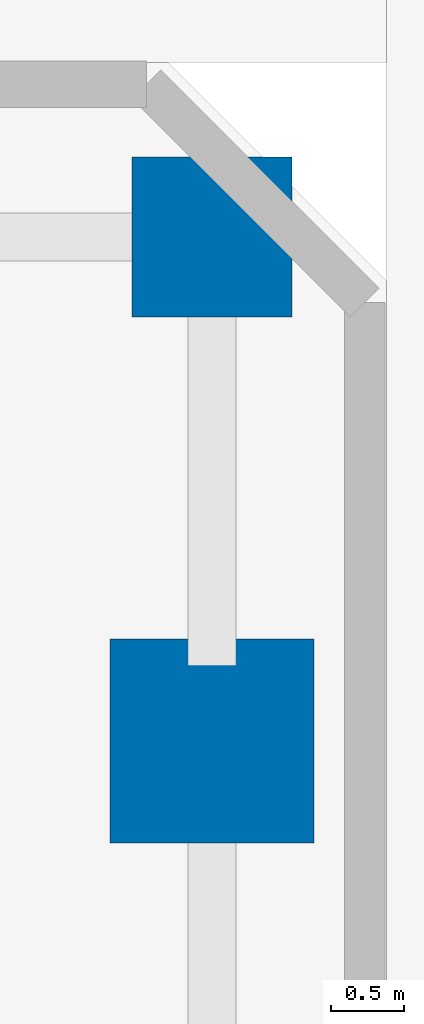
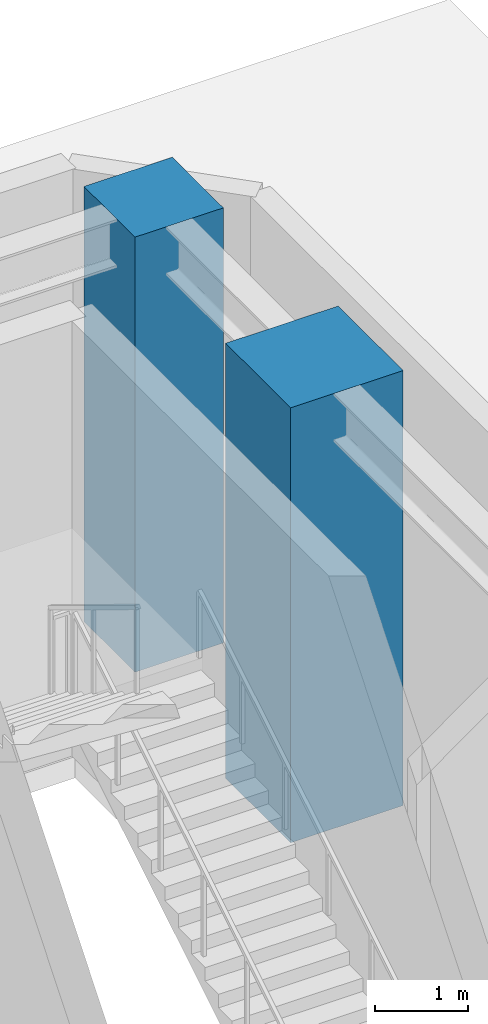
# One storey, part 10 of 49: 2 columns.
"""IFC4 building model written with IfcOpenShell, lengths in metres."""

import ifcopenshell
import ifcopenshell.guid

model = None  # the IFC model being written
_history = None  # IfcOwnerHistory: only IFC2X3 demands one
_inside = {}  # id of a spatial element -> (the spatial element, [elements in it])
_under = {}  # id of a project, library or spatial element -> (it, [spatial elements below it])
_declared = {}  # id of a project -> (the project, [libraries it declares])
_typed = {}  # id of a type object -> (the type object, [elements of that type])
_made_of = {}  # id of a material, layer set ... -> (it, [elements and type objects made of it])


def new_model(schema):
    """Start an empty IFC model of exactly this schema.

    Asked for "IFC4X3", IfcOpenShell would pick the latest addendum, in which some entities
    have other attributes; the version numbers below select the first issue.
    IFC2X3 requires an IfcOwnerHistory on every rooted entity: one is made here for all.
    """
    global model, _history
    if schema == "IFC4X3":
        model = ifcopenshell.file(schema_version=(4, 3, 0, 0))
    else:
        model = ifcopenshell.file(schema=schema)
    _inside.clear()
    _under.clear()
    _declared.clear()
    _typed.clear()
    _made_of.clear()
    _history = None
    if model.schema == "IFC2X3":
        org = make("IfcOrganization", Name="unknown")
        user = make(
            "IfcPersonAndOrganization",
            ThePerson=make("IfcPerson", FamilyName="unknown"),
            TheOrganization=org,
        )
        app = make(
            "IfcApplication",
            ApplicationDeveloper=org,
            Version="unknown",
            ApplicationFullName="unknown",
            ApplicationIdentifier="unknown",
        )
        _history = make(
            "IfcOwnerHistory",
            OwningUser=user,
            OwningApplication=app,
            ChangeAction="ADDED",
            CreationDate=0,
        )
    return model


def make(cls, **values):
    """One entity of the class cls with the attributes given. An attribute that is None is left unset."""
    return model.create_entity(
        cls, **{name: value for name, value in values.items() if value is not None}
    )


def rooted(cls, **values):
    """An entity with a GlobalId (a new one), such as an element, a storey or a relation."""
    return make(cls, GlobalId=ifcopenshell.guid.new(), OwnerHistory=_history, **values)


def si_unit(unit_type, name, prefix=None):
    """IfcSIUnit, for example si_unit("LENGTHUNIT", "METRE", prefix="MILLI")."""
    return make("IfcSIUnit", UnitType=unit_type, Prefix=prefix, Name=name)


def assignment(units):
    """IfcUnitAssignment: the units of a project."""
    return None if units is None else make("IfcUnitAssignment", Units=units)


def point(xyz):
    """IfcCartesianPoint."""
    return None if xyz is None else make("IfcCartesianPoint", Coordinates=xyz)


def direction(xyz):
    """IfcDirection."""
    return None if xyz is None else make("IfcDirection", DirectionRatios=xyz)


def frame(location, z_axis=None, x_axis=None):
    """IfcAxis2Placement3D, a coordinate frame: its origin and axes. An axis left out is left unset."""
    return make(
        "IfcAxis2Placement3D",
        Location=point(location),
        Axis=direction(z_axis),
        RefDirection=direction(x_axis),
    )


def frame_2d(location, x_axis=None):
    """IfcAxis2Placement2D, a coordinate frame in the plane: its origin and x axis."""
    return make(
        "IfcAxis2Placement2D", Location=point(location), RefDirection=direction(x_axis)
    )


def origin():
    """The frame at (0, 0, 0) with its axes left unset."""
    return frame((0.0, 0.0, 0.0))


def origin_2d():
    """The frame at (0, 0) in the plane with its x axis left unset."""
    return frame_2d((0.0, 0.0))


def place(relative_to, where):
    """IfcLocalPlacement: puts the frame where relative to a parent placement (None: the world)."""
    return make(
        "IfcLocalPlacement", PlacementRelTo=relative_to, RelativePlacement=where
    )


def context(
    kind, dimensions, precision=None, world=None, true_north=None, identifier=None
):
    """IfcGeometricRepresentationContext, for example the 3D "Model" context."""
    return make(
        "IfcGeometricRepresentationContext",
        ContextIdentifier=identifier,
        ContextType=kind,
        CoordinateSpaceDimension=dimensions,
        Precision=precision,
        WorldCoordinateSystem=world,
        TrueNorth=true_north,
    )


def subcontext(parent, identifier, kind, view, scale=None):
    """IfcGeometricRepresentationSubContext, for example "Body" below "Model"."""
    return make(
        "IfcGeometricRepresentationSubContext",
        ContextIdentifier=identifier,
        ContextType=kind,
        ParentContext=parent,
        TargetScale=scale,
        TargetView=view,
    )


def project(units=None, contexts=None):
    """IfcProject with its units and contexts."""
    return rooted(
        "IfcProject",
        Name="project",
        RepresentationContexts=contexts,
        UnitsInContext=assignment(units),
    )


def spatial(cls, under=None, at=None, **own):
    """A site, building, storey or space (cls), placed at a placement, below another one or the project."""
    s = rooted(cls, ObjectPlacement=at, **own)
    if under is not None:
        _under.setdefault(under.id(), (under, []))[1].append(s)
    return s


def profile(cls, at=None, kind="AREA", **sizes):
    """A parametric profile (cls). Its sizes go by their IFC names, for example OverallWidth=200.0."""
    return make(cls, ProfileType=kind, Position=at, **sizes)


def rectangle(**sizes):
    """IfcRectangleProfileDef."""
    return profile("IfcRectangleProfileDef", **sizes)


def extrude(swept, where, along, depth):
    """IfcExtrudedAreaSolid: the profile swept, set in the frame where, extruded along a direction by depth."""
    return make(
        "IfcExtrudedAreaSolid",
        SweptArea=swept,
        Position=where,
        ExtrudedDirection=direction(along),
        Depth=depth,
    )


def shape(context_of_items, identifier, shape_type, items):
    """IfcShapeRepresentation: the items that make up one representation, for example the "Body"."""
    return make(
        "IfcShapeRepresentation",
        ContextOfItems=context_of_items,
        RepresentationIdentifier=identifier,
        RepresentationType=shape_type,
        Items=items,
    )


def material(Name=None, Category=None):
    """IfcMaterial."""
    return make("IfcMaterial", Name=Name, Category=Category)


def material_profile(
    of_material, cross_section, Name=None, Category=None, Priority=None
):
    """IfcMaterialProfile: a cross section and its material."""
    return make(
        "IfcMaterialProfile",
        Name=Name,
        Material=of_material,
        Profile=cross_section,
        Priority=Priority,
        Category=Category,
    )


def profile_set(profiles, Name=None, composite=None):
    """IfcMaterialProfileSet."""
    return make(
        "IfcMaterialProfileSet",
        Name=Name,
        MaterialProfiles=profiles,
        CompositeProfile=composite,
    )


def made_of(thing, what):
    """Note that an element or type object is made of a material, layer set ...; save() writes the relation."""
    if what is not None:
        _made_of.setdefault(what.id(), (what, []))[1].append(thing)
    return thing


def type_object(cls, material=None, **own):
    """A type object (cls), such as IfcWallType, which elements share."""
    return made_of(rooted(cls, **own), material)


def element(
    cls,
    number,
    at=None,
    inside=None,
    cuts=None,
    type_object=None,
    material=None,
    context=None,
    identifier="Body",
    shape_type=None,
    held_by="IfcProductDefinitionShape",
    body=None,
    shapes=None,
    **own,
):
    """One element of the class cls, such as IfcWall. Its Tag is "e" and its number.

    at: its placement. inside: the storey or other place that contains it. cuts: it is an
    opening in that element (IfcRelVoidsElement). A single representation is given by context,
    identifier, shape_type and body (its items); several are given by shapes. held_by: the class
    of the entity that holds the representations. save() writes the other relations.
    """
    e = rooted(cls, Tag="e%d" % number, ObjectPlacement=at, **own)
    if body is not None:
        shapes = [shape(context, identifier, shape_type, body)]
    if shapes is not None:
        e.Representation = make(held_by, Representations=shapes)
    if inside is not None:
        _inside.setdefault(inside.id(), (inside, []))[1].append(e)
    if cuts is not None:
        rooted(
            "IfcRelVoidsElement", RelatingBuildingElement=cuts, RelatedOpeningElement=e
        )
    if type_object is not None:
        _typed.setdefault(type_object.id(), (type_object, []))[1].append(e)
    return made_of(e, material)


def aggregate(whole, parts):
    """IfcRelAggregates: a whole, such as a stair, and the parts it consists of."""
    return rooted("IfcRelAggregates", RelatingObject=whole, RelatedObjects=parts)


def save(model, path):
    """Write the relations noted so far, then the file.

    IfcRelAggregates (storeys below a building ...), IfcRelContainedInSpatialStructure (elements
    in a storey), IfcRelDefinesByType, IfcRelAssociatesMaterial and IfcRelDeclares: one each for
    every whole, place, type object, material and project.
    """
    for whole, parts in _under.values():
        aggregate(whole, parts)
    for where, things in _inside.values():
        rooted(
            "IfcRelContainedInSpatialStructure",
            RelatedElements=things,
            RelatingStructure=where,
        )
    for kind, things in _typed.values():
        rooted("IfcRelDefinesByType", RelatedObjects=things, RelatingType=kind)
    for what, things in _made_of.values():
        rooted("IfcRelAssociatesMaterial", RelatedObjects=things, RelatingMaterial=what)
    for by, libraries in _declared.values():
        rooted("IfcRelDeclares", RelatingContext=by, RelatedDefinitions=libraries)
    model.write(path)


model = new_model("IFC4")

# Units and contexts
model_context = context("Model", 3, precision=1e-05, world=origin(), true_north=direction((0.0, 1.0)))
body_context = subcontext(model_context, "Body", "Model", "MODEL_VIEW")
ifc_project = project(units=[si_unit("LENGTHUNIT", "METRE"), si_unit("AREAUNIT", "SQUARE_METRE"), si_unit("VOLUMEUNIT", "CUBIC_METRE"), si_unit("PLANEANGLEUNIT", "RADIAN"), si_unit("MASSUNIT", "GRAM", prefix="KILO")], contexts=[model_context])

# Site, building, storey
site_placement = place(None, origin())
site = spatial("IfcSite", under=ifc_project, at=site_placement, CompositionType="ELEMENT")
building_placement = place(site_placement, origin())
building = spatial("IfcBuilding", under=site, at=building_placement, Name="Sarneth Arch Tower", CompositionType="ELEMENT")
storey_placement = place(building_placement, origin())
storey = spatial("IfcBuildingStorey", under=building, at=storey_placement, Name="L00", CompositionType="ELEMENT", Elevation=0.0)

# Columns
ifc_material_1 = material(Name="Concrete C60/75", Category="concrete")
ifc_material_profile_1 = material_profile(ifc_material_1, rectangle(XDim=1.10009765625, YDim=1.10009765625, at=origin_2d()), Name="RC-1100x1100")
ifc_profile_set_1 = profile_set([ifc_material_profile_1], Name="Concrete C60/75")
column_type_1 = type_object("IfcColumnType", Name="COL-RC-1100", PredefinedType="COLUMN", material=ifc_profile_set_1)
column_1_placement = place(storey_placement, frame((86.800048828125, 74.800048828125, 0.0), z_axis=(0.0, 0.0, 1.0), x_axis=(1.0, 0.0, 0.0)))
element("IfcColumn", 1, at=column_1_placement, inside=storey, type_object=column_type_1, Name="L00 Podium column PN08", PredefinedType="COLUMN", context=body_context, shape_type="SweptSolid", body=[
    extrude(rectangle(XDim=1.10009765625, YDim=1.10009765625, at=origin_2d()), origin(), (0.0, 0.0, 1.0), 5.719970703125),
])
ifc_material_2 = material(Name="Concrete C60/75", Category="concrete")
ifc_material_profile_2 = material_profile(ifc_material_2, rectangle(XDim=1.39990234375, YDim=1.39990234375, at=origin_2d()), Name="RC-1400x1400")
ifc_profile_set_2 = profile_set([ifc_material_profile_2], Name="Concrete C60/75")
column_type_2 = type_object("IfcColumnType", Name="COL-RC-1400", PredefinedType="COLUMN", material=ifc_profile_set_2)
column_2_placement = place(storey_placement, frame((86.800048828125, 71.336669921875, 0.0), z_axis=(0.0, 0.0, 1.0), x_axis=(1.0, 0.0, 0.0)))
element("IfcColumn", 2, at=column_2_placement, inside=storey, type_object=column_type_2, Name="L00 Podium column PX03", PredefinedType="COLUMN", context=body_context, shape_type="SweptSolid", body=[
    extrude(rectangle(XDim=1.39990234375, YDim=1.39990234375, at=origin_2d()), origin(), (0.0, 0.0, 1.0), 5.719970703125),
])

save(model, "model.ifc")
